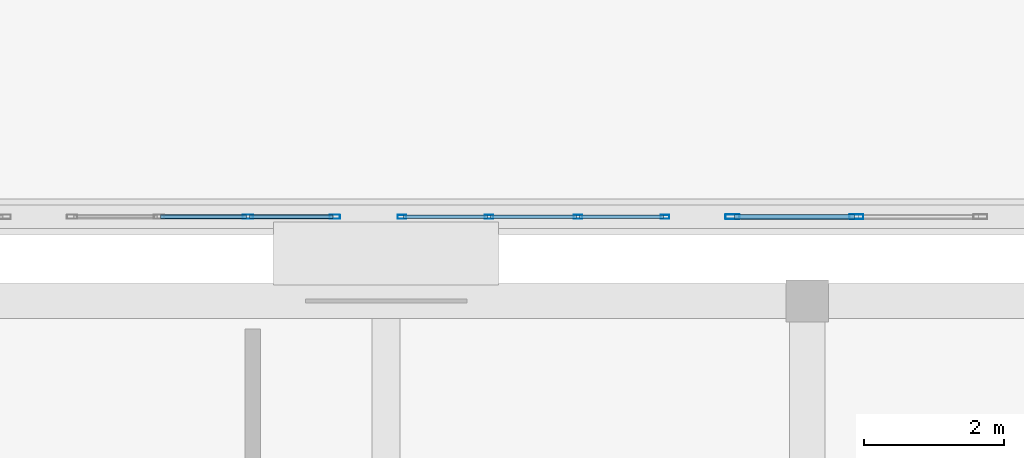
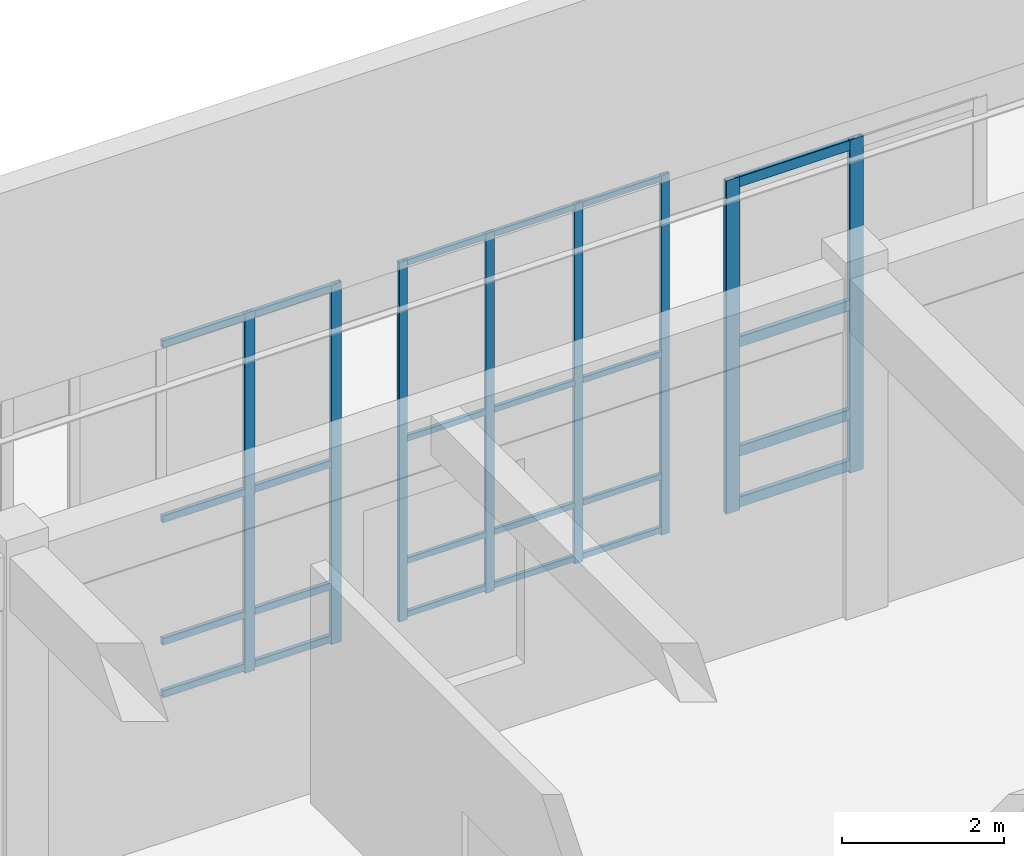
# One storey, part 112 of 197: 32 members, 3 elements without a shape of their own.
"""IFC4 building model written with IfcOpenShell, lengths in metres."""

from ifc_helpers import new_model, si_unit, derived_unit, direction, frame, origin, origin_2d, place, context, subcontext, project, spatial, hollow_rectangle, extrude, material, layer, layer_set, material_profile, profile_set, type_object, element, aggregate, save


model = new_model("IFC4")

# Units and contexts
model_context = context("Model", 3, precision=1e-05, world=origin(), true_north=direction((0.0, 1.0)))
body_context = subcontext(model_context, "Body", "Model", "MODEL_VIEW")
ifc_project = project(units=[si_unit("LENGTHUNIT", "METRE"), si_unit("AREAUNIT", "SQUARE_METRE"), si_unit("VOLUMEUNIT", "CUBIC_METRE"), si_unit("PLANEANGLEUNIT", "RADIAN"), si_unit("MASSUNIT", "GRAM", prefix="KILO"), derived_unit("THERMALTRANSMITTANCEUNIT", [(si_unit("POWERUNIT", "WATT"), 1), (si_unit("LENGTHUNIT", "METRE"), -2), (si_unit("THERMODYNAMICTEMPERATUREUNIT", "KELVIN"), -1)])], contexts=[model_context])

# Site, building, storey
site_placement = place(None, origin())
site = spatial("IfcSite", under=ifc_project, at=site_placement, CompositionType="ELEMENT")
building_placement = place(site_placement, origin())
building = spatial("IfcBuilding", under=site, at=building_placement, Name="Almenara Railside Exhibition Hall", CompositionType="ELEMENT")
storey_placement = place(building_placement, frame((0.0, 0.0, 5.39990234375)))
storey = spatial("IfcBuildingStorey", under=building, at=storey_placement, Name="L01", CompositionType="ELEMENT", Elevation=5.39990234375)

# Curtain wall, members
ifc_material_1 = material(Name="Bronze-anodised aluminium and low-E double glazing", Category="aluminium")
ifc_layer_1 = layer(ifc_material_1, 0.179931640625, Name="Bronze-anodised aluminium and low-E double glazing")
ifc_layer_set_1 = layer_set([ifc_layer_1], Name="Bronze-anodised aluminium and low-E double glazing")
curtain_wall_type_1 = type_object("IfcCurtainWallType", Name="Scroll Gable Tall Curtain Wall 3800x5400", PredefinedType="NOTDEFINED", material=ifc_layer_set_1)
curtain_wall_1_placement = place(storey_placement, origin())
curtain_wall_1 = element("IfcCurtainWall", 1, at=curtain_wall_1_placement, inside=storey, type_object=curtain_wall_type_1, Name="Curtain wall CW-G1-083", PredefinedType="NOTDEFINED")
ifc_material_2 = material(Name="Bronze-anodised aluminium", Category="aluminium")
ifc_material_profile_1 = material_profile(ifc_material_2, hollow_rectangle(XDim=0.054931640625, YDim=0.125, WallThickness=0.0029296875, InnerFilletRadius=0.0029296875, OuterFilletRadius=0.006103515625, at=origin_2d()), Name="ALU-MUL 55x125x3")
ifc_profile_set_1 = profile_set([ifc_material_profile_1], Name="Bronze-anodised aluminium")
member_type_1 = type_object("IfcMemberType", Name="Curtain Wall Mullion 55x125x3", PredefinedType="MULLION", material=ifc_profile_set_1)
member_1_placement = place(storey_placement, frame((168.2275390625, 34.0, 1.01513671875), z_axis=(0.0, 0.0, 1.0), x_axis=(0.0, 1.0, 0.0)))
member_1 = element("IfcMember", 2, at=member_1_placement, type_object=member_type_1, Name="CW-G1-083 mullion 1", PredefinedType="MULLION", context=body_context, shape_type="SweptSolid", body=[
    extrude(hollow_rectangle(XDim=0.054931640625, YDim=0.125, WallThickness=0.0029296875, InnerFilletRadius=0.0029296875, OuterFilletRadius=0.006103515625, at=origin_2d()), origin(), (0.0, 0.0, 1.0), 5.43505859375),
])
member_2_placement = place(storey_placement, frame((169.466552734375, 34.0, 1.01513671875), z_axis=(0.0, 0.0, 1.0), x_axis=(0.0, 1.0, 0.0)))
member_2 = element("IfcMember", 3, at=member_2_placement, type_object=member_type_1, Name="CW-G1-083 mullion 2", PredefinedType="MULLION", context=body_context, shape_type="SweptSolid", body=[
    extrude(hollow_rectangle(XDim=0.054931640625, YDim=0.125, WallThickness=0.0029296875, InnerFilletRadius=0.0029296875, OuterFilletRadius=0.006103515625, at=origin_2d()), origin(), (0.0, 0.0, 1.0), 5.43505859375),
])
member_3_placement = place(storey_placement, frame((170.7333984375, 34.0, 1.01513671875), z_axis=(0.0, 0.0, 1.0), x_axis=(0.0, 1.0, 0.0)))
member_3 = element("IfcMember", 4, at=member_3_placement, type_object=member_type_1, Name="CW-G1-083 mullion 3", PredefinedType="MULLION", context=body_context, shape_type="SweptSolid", body=[
    extrude(hollow_rectangle(XDim=0.054931640625, YDim=0.125, WallThickness=0.0029296875, InnerFilletRadius=0.0029296875, OuterFilletRadius=0.006103515625, at=origin_2d()), origin(), (0.0, 0.0, 1.0), 5.43505859375),
])
member_4_placement = place(storey_placement, frame((171.972412109375, 34.0, 1.01513671875), z_axis=(0.0, 0.0, 1.0), x_axis=(0.0, 1.0, 0.0)))
member_4 = element("IfcMember", 5, at=member_4_placement, type_object=member_type_1, Name="CW-G1-083 mullion 4", PredefinedType="MULLION", context=body_context, shape_type="SweptSolid", body=[
    extrude(hollow_rectangle(XDim=0.054931640625, YDim=0.125, WallThickness=0.0029296875, InnerFilletRadius=0.0029296875, OuterFilletRadius=0.006103515625, at=origin_2d()), origin(), (0.0, 0.0, 1.0), 5.43505859375),
])

curtain_wall_2_placement = place(storey_placement, origin())
curtain_wall_2 = element("IfcCurtainWall", 6, at=curtain_wall_2_placement, inside=storey, type_object=curtain_wall_type_1, Name="Curtain wall CW-G1-082", PredefinedType="NOTDEFINED")
ifc_material_profile_2 = material_profile(ifc_material_2, hollow_rectangle(XDim=0.06005859375, YDim=0.14990234375, WallThickness=0.00341796875, InnerFilletRadius=0.00341796875, OuterFilletRadius=0.007080078125, at=origin_2d()), Name="ALU-MUL 60x150x3.5")
ifc_profile_set_2 = profile_set([ifc_material_profile_2], Name="Bronze-anodised aluminium")
member_type_2 = type_object("IfcMemberType", Name="Curtain Wall Mullion 60x150x3.5", PredefinedType="MULLION", material=ifc_profile_set_2)
member_5_placement = place(storey_placement, frame((166.033447265625, 34.0, 1.01513671875), z_axis=(0.0, 0.0, 1.0), x_axis=(0.0, 1.0, 0.0)))
member_5 = element("IfcMember", 7, at=member_5_placement, type_object=member_type_2, Name="CW-G1-082 mullion 3", PredefinedType="MULLION", context=body_context, shape_type="SweptSolid", body=[
    extrude(hollow_rectangle(XDim=0.06005859375, YDim=0.14990234375, WallThickness=0.00341796875, InnerFilletRadius=0.00341796875, OuterFilletRadius=0.007080078125, at=origin_2d()), origin(), (0.0, 0.0, 1.0), 5.43505859375),
])
member_6_placement = place(storey_placement, frame((167.27001953125, 34.0, 1.01513671875), z_axis=(0.0, 0.0, 1.0), x_axis=(0.0, 1.0, 0.0)))
member_6 = element("IfcMember", 8, at=member_6_placement, type_object=member_type_2, Name="CW-G1-082 mullion 4", PredefinedType="MULLION", context=body_context, shape_type="SweptSolid", body=[
    extrude(hollow_rectangle(XDim=0.06005859375, YDim=0.14990234375, WallThickness=0.00341796875, InnerFilletRadius=0.00341796875, OuterFilletRadius=0.007080078125, at=origin_2d()), origin(), (0.0, 0.0, 1.0), 5.43505859375),
])

ifc_layer_2 = layer(ifc_material_1, 0.179931640625, Name="Bronze-anodised aluminium and low-E double glazing")
ifc_layer_set_2 = layer_set([ifc_layer_2], Name="Bronze-anodised aluminium and low-E double glazing")
curtain_wall_type_2 = type_object("IfcCurtainWallType", Name="Scroll Gable Standard Curtain Wall 3600x5000", PredefinedType="NOTDEFINED", material=ifc_layer_set_2)
curtain_wall_3_placement = place(storey_placement, origin())
curtain_wall_3 = element("IfcCurtainWall", 9, at=curtain_wall_3_placement, inside=storey, type_object=curtain_wall_type_2, Name="Curtain wall CW-G2-084", PredefinedType="NOTDEFINED")
ifc_material_profile_3 = material_profile(ifc_material_2, hollow_rectangle(XDim=0.070068359375, YDim=0.199951171875, WallThickness=0.00439453125, InnerFilletRadius=0.00439453125, OuterFilletRadius=0.009033203125, at=origin_2d()), Name="ALU-MUL 70x200x4.5")
ifc_profile_set_3 = profile_set([ifc_material_profile_3], Name="Bronze-anodised aluminium")
member_type_3 = type_object("IfcMemberType", Name="Curtain Wall Mullion 70x200x4.5", PredefinedType="MULLION", material=ifc_profile_set_3)
member_7_placement = place(storey_placement, frame((172.93505859375, 34.0, 1.01513671875), z_axis=(0.0, 0.0, 1.0), x_axis=(0.0, 1.0, 0.0)))
member_7 = element("IfcMember", 10, at=member_7_placement, type_object=member_type_3, Name="CW-G2-084 mullion 1", PredefinedType="MULLION", context=body_context, shape_type="SweptSolid", body=[
    extrude(hollow_rectangle(XDim=0.070068359375, YDim=0.199951171875, WallThickness=0.00439453125, InnerFilletRadius=0.00439453125, OuterFilletRadius=0.009033203125, at=origin_2d()), origin(), (0.0, 0.0, 1.0), 5.034912109375),
])
member_8_placement = place(storey_placement, frame((174.699951171875, 34.0, 1.01513671875), z_axis=(0.0, 0.0, 1.0), x_axis=(0.0, 1.0, 0.0)))
member_8 = element("IfcMember", 11, at=member_8_placement, type_object=member_type_3, Name="CW-G2-084 mullion 2", PredefinedType="MULLION", context=body_context, shape_type="SweptSolid", body=[
    extrude(hollow_rectangle(XDim=0.070068359375, YDim=0.199951171875, WallThickness=0.00439453125, InnerFilletRadius=0.00439453125, OuterFilletRadius=0.009033203125, at=origin_2d()), origin(), (0.0, 0.0, 1.0), 5.034912109375),
])

# Member
ifc_material_profile_4 = material_profile(ifc_material_2, hollow_rectangle(XDim=0.054931640625, YDim=0.090087890625, WallThickness=0.0029296875, InnerFilletRadius=0.0029296875, OuterFilletRadius=0.006103515625, at=origin_2d()), Name="ALU-TRN 55x90x3")
ifc_profile_set_4 = profile_set([ifc_material_profile_4], Name="Bronze-anodised aluminium")
member_type_4 = type_object("IfcMemberType", Name="Curtain Wall Transom 55x90x3", PredefinedType="USERDEFINED", material=ifc_profile_set_4)
member_9_placement = place(storey_placement, frame((168.2470703125, 34.0, 1.09521484375), z_axis=(1.0, 0.0, 0.0), x_axis=(0.0, 1.0, 0.0)))
member_9 = element("IfcMember", 12, at=member_9_placement, type_object=member_type_4, Name="CW-G1-083 transom 1.1", ObjectType="TRANSOM", PredefinedType="USERDEFINED", context=body_context, shape_type="SweptSolid", body=[
    extrude(hollow_rectangle(XDim=0.054931640625, YDim=0.090087890625, WallThickness=0.0029296875, InnerFilletRadius=0.0029296875, OuterFilletRadius=0.006103515625, at=origin_2d()), origin(), (0.0, 0.0, 1.0), 1.2001953125),
])

member_10_placement = place(storey_placement, frame((168.2470703125, 34.0, 1.900146484375), z_axis=(1.0, 0.0, 0.0), x_axis=(0.0, 1.0, 0.0)))
member_10 = element("IfcMember", 13, at=member_10_placement, type_object=member_type_4, Name="CW-G1-083 transom 1.2", ObjectType="TRANSOM", PredefinedType="USERDEFINED", context=body_context, shape_type="SweptSolid", body=[
    extrude(hollow_rectangle(XDim=0.054931640625, YDim=0.090087890625, WallThickness=0.0029296875, InnerFilletRadius=0.0029296875, OuterFilletRadius=0.006103515625, at=origin_2d()), origin(), (0.0, 0.0, 1.0), 1.2001953125),
])

member_11_placement = place(storey_placement, frame((168.2470703125, 34.0, 3.75), z_axis=(1.0, 0.0, 0.0), x_axis=(0.0, 1.0, 0.0)))
member_11 = element("IfcMember", 14, at=member_11_placement, type_object=member_type_4, Name="CW-G1-083 transom 1.3", ObjectType="TRANSOM", PredefinedType="USERDEFINED", context=body_context, shape_type="SweptSolid", body=[
    extrude(hollow_rectangle(XDim=0.054931640625, YDim=0.090087890625, WallThickness=0.0029296875, InnerFilletRadius=0.0029296875, OuterFilletRadius=0.006103515625, at=origin_2d()), origin(), (0.0, 0.0, 1.0), 1.2001953125),
])

member_12_placement = place(storey_placement, frame((168.2470703125, 34.0, 6.405029296875), z_axis=(1.0, 0.0, 0.0), x_axis=(0.0, 1.0, 0.0)))
member_12 = element("IfcMember", 15, at=member_12_placement, type_object=member_type_4, Name="CW-G1-083 transom 1.4", ObjectType="TRANSOM", PredefinedType="USERDEFINED", context=body_context, shape_type="SweptSolid", body=[
    extrude(hollow_rectangle(XDim=0.054931640625, YDim=0.090087890625, WallThickness=0.0029296875, InnerFilletRadius=0.0029296875, OuterFilletRadius=0.006103515625, at=origin_2d()), origin(), (0.0, 0.0, 1.0), 1.2001953125),
])

member_13_placement = place(storey_placement, frame((169.486083984375, 34.0, 1.09521484375), z_axis=(1.0, 0.0, 0.0), x_axis=(0.0, 1.0, 0.0)))
member_13 = element("IfcMember", 16, at=member_13_placement, type_object=member_type_4, Name="CW-G1-083 transom 2.1", ObjectType="TRANSOM", PredefinedType="USERDEFINED", context=body_context, shape_type="SweptSolid", body=[
    extrude(hollow_rectangle(XDim=0.054931640625, YDim=0.090087890625, WallThickness=0.0029296875, InnerFilletRadius=0.0029296875, OuterFilletRadius=0.006103515625, at=origin_2d()), origin(), (0.0, 0.0, 1.0), 1.227783203125),
])

member_14_placement = place(storey_placement, frame((169.486083984375, 34.0, 1.900146484375), z_axis=(1.0, 0.0, 0.0), x_axis=(0.0, 1.0, 0.0)))
member_14 = element("IfcMember", 17, at=member_14_placement, type_object=member_type_4, Name="CW-G1-083 transom 2.2", ObjectType="TRANSOM", PredefinedType="USERDEFINED", context=body_context, shape_type="SweptSolid", body=[
    extrude(hollow_rectangle(XDim=0.054931640625, YDim=0.090087890625, WallThickness=0.0029296875, InnerFilletRadius=0.0029296875, OuterFilletRadius=0.006103515625, at=origin_2d()), origin(), (0.0, 0.0, 1.0), 1.227783203125),
])

member_15_placement = place(storey_placement, frame((169.486083984375, 34.0, 3.75), z_axis=(1.0, 0.0, 0.0), x_axis=(0.0, 1.0, 0.0)))
member_15 = element("IfcMember", 18, at=member_15_placement, type_object=member_type_4, Name="CW-G1-083 transom 2.3", ObjectType="TRANSOM", PredefinedType="USERDEFINED", context=body_context, shape_type="SweptSolid", body=[
    extrude(hollow_rectangle(XDim=0.054931640625, YDim=0.090087890625, WallThickness=0.0029296875, InnerFilletRadius=0.0029296875, OuterFilletRadius=0.006103515625, at=origin_2d()), origin(), (0.0, 0.0, 1.0), 1.227783203125),
])

member_16_placement = place(storey_placement, frame((169.486083984375, 34.0, 6.405029296875), z_axis=(1.0, 0.0, 0.0), x_axis=(0.0, 1.0, 0.0)))
member_16 = element("IfcMember", 19, at=member_16_placement, type_object=member_type_4, Name="CW-G1-083 transom 2.4", ObjectType="TRANSOM", PredefinedType="USERDEFINED", context=body_context, shape_type="SweptSolid", body=[
    extrude(hollow_rectangle(XDim=0.054931640625, YDim=0.090087890625, WallThickness=0.0029296875, InnerFilletRadius=0.0029296875, OuterFilletRadius=0.006103515625, at=origin_2d()), origin(), (0.0, 0.0, 1.0), 1.227783203125),
])

member_17_placement = place(storey_placement, frame((170.7529296875, 34.0, 1.09521484375), z_axis=(1.0, 0.0, 0.0), x_axis=(0.0, 1.0, 0.0)))
member_17 = element("IfcMember", 20, at=member_17_placement, type_object=member_type_4, Name="CW-G1-083 transom 3.1", ObjectType="TRANSOM", PredefinedType="USERDEFINED", context=body_context, shape_type="SweptSolid", body=[
    extrude(hollow_rectangle(XDim=0.054931640625, YDim=0.090087890625, WallThickness=0.0029296875, InnerFilletRadius=0.0029296875, OuterFilletRadius=0.006103515625, at=origin_2d()), origin(), (0.0, 0.0, 1.0), 1.199951171875),
])

member_18_placement = place(storey_placement, frame((170.7529296875, 34.0, 1.900146484375), z_axis=(1.0, 0.0, 0.0), x_axis=(0.0, 1.0, 0.0)))
member_18 = element("IfcMember", 21, at=member_18_placement, type_object=member_type_4, Name="CW-G1-083 transom 3.2", ObjectType="TRANSOM", PredefinedType="USERDEFINED", context=body_context, shape_type="SweptSolid", body=[
    extrude(hollow_rectangle(XDim=0.054931640625, YDim=0.090087890625, WallThickness=0.0029296875, InnerFilletRadius=0.0029296875, OuterFilletRadius=0.006103515625, at=origin_2d()), origin(), (0.0, 0.0, 1.0), 1.199951171875),
])

member_19_placement = place(storey_placement, frame((170.7529296875, 34.0, 3.75), z_axis=(1.0, 0.0, 0.0), x_axis=(0.0, 1.0, 0.0)))
member_19 = element("IfcMember", 22, at=member_19_placement, type_object=member_type_4, Name="CW-G1-083 transom 3.3", ObjectType="TRANSOM", PredefinedType="USERDEFINED", context=body_context, shape_type="SweptSolid", body=[
    extrude(hollow_rectangle(XDim=0.054931640625, YDim=0.090087890625, WallThickness=0.0029296875, InnerFilletRadius=0.0029296875, OuterFilletRadius=0.006103515625, at=origin_2d()), origin(), (0.0, 0.0, 1.0), 1.199951171875),
])

member_20_placement = place(storey_placement, frame((170.7529296875, 34.0, 6.405029296875), z_axis=(1.0, 0.0, 0.0), x_axis=(0.0, 1.0, 0.0)))
member_20 = element("IfcMember", 23, at=member_20_placement, type_object=member_type_4, Name="CW-G1-083 transom 3.4", ObjectType="TRANSOM", PredefinedType="USERDEFINED", context=body_context, shape_type="SweptSolid", body=[
    extrude(hollow_rectangle(XDim=0.054931640625, YDim=0.090087890625, WallThickness=0.0029296875, InnerFilletRadius=0.0029296875, OuterFilletRadius=0.006103515625, at=origin_2d()), origin(), (0.0, 0.0, 1.0), 1.199951171875),
])

aggregate(curtain_wall_1, [member_1, member_2, member_3, member_4, member_9, member_10, member_11, member_12, member_13, member_14, member_15, member_16, member_17, member_18, member_19, member_20])

ifc_material_profile_5 = material_profile(ifc_material_2, hollow_rectangle(XDim=0.06005859375, YDim=0.110107421875, WallThickness=0.0029296875, InnerFilletRadius=0.0029296875, OuterFilletRadius=0.006103515625, at=origin_2d()), Name="ALU-TRN 60x110x3")
ifc_profile_set_5 = profile_set([ifc_material_profile_5], Name="Bronze-anodised aluminium")
member_type_5 = type_object("IfcMemberType", Name="Curtain Wall Transom 60x110x3", PredefinedType="USERDEFINED", material=ifc_profile_set_5)
member_21_placement = place(storey_placement, frame((164.78857421875, 34.0, 1.10498046875), z_axis=(1.0, 0.0, 0.0), x_axis=(0.0, 1.0, 0.0)))
member_21 = element("IfcMember", 24, at=member_21_placement, type_object=member_type_5, Name="CW-G1-082 transom 2.1", ObjectType="TRANSOM", PredefinedType="USERDEFINED", context=body_context, shape_type="SweptSolid", body=[
    extrude(hollow_rectangle(XDim=0.06005859375, YDim=0.110107421875, WallThickness=0.0029296875, InnerFilletRadius=0.0029296875, OuterFilletRadius=0.006103515625, at=origin_2d()), origin(), (0.0, 0.0, 1.0), 1.22265625),
])

member_22_placement = place(storey_placement, frame((164.78857421875, 34.0, 1.900146484375), z_axis=(1.0, 0.0, 0.0), x_axis=(0.0, 1.0, 0.0)))
member_22 = element("IfcMember", 25, at=member_22_placement, type_object=member_type_5, Name="CW-G1-082 transom 2.2", ObjectType="TRANSOM", PredefinedType="USERDEFINED", context=body_context, shape_type="SweptSolid", body=[
    extrude(hollow_rectangle(XDim=0.06005859375, YDim=0.110107421875, WallThickness=0.0029296875, InnerFilletRadius=0.0029296875, OuterFilletRadius=0.006103515625, at=origin_2d()), origin(), (0.0, 0.0, 1.0), 1.22265625),
])

member_23_placement = place(storey_placement, frame((164.78857421875, 34.0, 3.75), z_axis=(1.0, 0.0, 0.0), x_axis=(0.0, 1.0, 0.0)))
member_23 = element("IfcMember", 26, at=member_23_placement, type_object=member_type_5, Name="CW-G1-082 transom 2.3", ObjectType="TRANSOM", PredefinedType="USERDEFINED", context=body_context, shape_type="SweptSolid", body=[
    extrude(hollow_rectangle(XDim=0.06005859375, YDim=0.110107421875, WallThickness=0.0029296875, InnerFilletRadius=0.0029296875, OuterFilletRadius=0.006103515625, at=origin_2d()), origin(), (0.0, 0.0, 1.0), 1.22265625),
])

member_24_placement = place(storey_placement, frame((164.78857421875, 34.0, 6.39501953125), z_axis=(1.0, 0.0, 0.0), x_axis=(0.0, 1.0, 0.0)))
member_24 = element("IfcMember", 27, at=member_24_placement, type_object=member_type_5, Name="CW-G1-082 transom 2.4", ObjectType="TRANSOM", PredefinedType="USERDEFINED", context=body_context, shape_type="SweptSolid", body=[
    extrude(hollow_rectangle(XDim=0.06005859375, YDim=0.110107421875, WallThickness=0.0029296875, InnerFilletRadius=0.0029296875, OuterFilletRadius=0.006103515625, at=origin_2d()), origin(), (0.0, 0.0, 1.0), 1.22265625),
])

member_25_placement = place(storey_placement, frame((166.055419921875, 34.0, 1.10498046875), z_axis=(1.0, 0.0, 0.0), x_axis=(0.0, 1.0, 0.0)))
member_25 = element("IfcMember", 28, at=member_25_placement, type_object=member_type_5, Name="CW-G1-082 transom 3.1", ObjectType="TRANSOM", PredefinedType="USERDEFINED", context=body_context, shape_type="SweptSolid", body=[
    extrude(hollow_rectangle(XDim=0.06005859375, YDim=0.110107421875, WallThickness=0.0029296875, InnerFilletRadius=0.0029296875, OuterFilletRadius=0.006103515625, at=origin_2d()), origin(), (0.0, 0.0, 1.0), 1.192626953125),
])

member_26_placement = place(storey_placement, frame((166.055419921875, 34.0, 1.900146484375), z_axis=(1.0, 0.0, 0.0), x_axis=(0.0, 1.0, 0.0)))
member_26 = element("IfcMember", 29, at=member_26_placement, type_object=member_type_5, Name="CW-G1-082 transom 3.2", ObjectType="TRANSOM", PredefinedType="USERDEFINED", context=body_context, shape_type="SweptSolid", body=[
    extrude(hollow_rectangle(XDim=0.06005859375, YDim=0.110107421875, WallThickness=0.0029296875, InnerFilletRadius=0.0029296875, OuterFilletRadius=0.006103515625, at=origin_2d()), origin(), (0.0, 0.0, 1.0), 1.192626953125),
])

member_27_placement = place(storey_placement, frame((166.055419921875, 34.0, 3.75), z_axis=(1.0, 0.0, 0.0), x_axis=(0.0, 1.0, 0.0)))
member_27 = element("IfcMember", 30, at=member_27_placement, type_object=member_type_5, Name="CW-G1-082 transom 3.3", ObjectType="TRANSOM", PredefinedType="USERDEFINED", context=body_context, shape_type="SweptSolid", body=[
    extrude(hollow_rectangle(XDim=0.06005859375, YDim=0.110107421875, WallThickness=0.0029296875, InnerFilletRadius=0.0029296875, OuterFilletRadius=0.006103515625, at=origin_2d()), origin(), (0.0, 0.0, 1.0), 1.192626953125),
])

member_28_placement = place(storey_placement, frame((166.055419921875, 34.0, 6.39501953125), z_axis=(1.0, 0.0, 0.0), x_axis=(0.0, 1.0, 0.0)))
member_28 = element("IfcMember", 31, at=member_28_placement, type_object=member_type_5, Name="CW-G1-082 transom 3.4", ObjectType="TRANSOM", PredefinedType="USERDEFINED", context=body_context, shape_type="SweptSolid", body=[
    extrude(hollow_rectangle(XDim=0.06005859375, YDim=0.110107421875, WallThickness=0.0029296875, InnerFilletRadius=0.0029296875, OuterFilletRadius=0.006103515625, at=origin_2d()), origin(), (0.0, 0.0, 1.0), 1.192626953125),
])

aggregate(curtain_wall_2, [member_5, member_6, member_21, member_22, member_23, member_24, member_25, member_26, member_27, member_28])

ifc_material_profile_6 = material_profile(ifc_material_2, hollow_rectangle(XDim=0.070068359375, YDim=0.159912109375, WallThickness=0.00390625, InnerFilletRadius=0.00390625, OuterFilletRadius=0.008056640625, at=origin_2d()), Name="ALU-TRN 70x160x4")
ifc_profile_set_6 = profile_set([ifc_material_profile_6], Name="Bronze-anodised aluminium")
member_type_6 = type_object("IfcMemberType", Name="Curtain Wall Transom 70x160x4", PredefinedType="USERDEFINED", material=ifc_profile_set_6)
member_29_placement = place(storey_placement, frame((172.9619140625, 34.0, 1.130126953125), z_axis=(1.0, 0.0, 0.0), x_axis=(0.0, 1.0, 0.0)))
member_29 = element("IfcMember", 32, at=member_29_placement, type_object=member_type_6, Name="CW-G2-084 transom 1.1", ObjectType="TRANSOM", PredefinedType="USERDEFINED", context=body_context, shape_type="SweptSolid", body=[
    extrude(hollow_rectangle(XDim=0.070068359375, YDim=0.159912109375, WallThickness=0.00390625, InnerFilletRadius=0.00390625, OuterFilletRadius=0.008056640625, at=origin_2d()), origin(), (0.0, 0.0, 1.0), 1.711181640625),
])

member_30_placement = place(storey_placement, frame((172.9619140625, 34.0, 1.900146484375), z_axis=(1.0, 0.0, 0.0), x_axis=(0.0, 1.0, 0.0)))
member_30 = element("IfcMember", 33, at=member_30_placement, type_object=member_type_6, Name="CW-G2-084 transom 1.2", ObjectType="TRANSOM", PredefinedType="USERDEFINED", context=body_context, shape_type="SweptSolid", body=[
    extrude(hollow_rectangle(XDim=0.070068359375, YDim=0.159912109375, WallThickness=0.00390625, InnerFilletRadius=0.00390625, OuterFilletRadius=0.008056640625, at=origin_2d()), origin(), (0.0, 0.0, 1.0), 1.711181640625),
])

member_31_placement = place(storey_placement, frame((172.9619140625, 34.0, 3.550048828125), z_axis=(1.0, 0.0, 0.0), x_axis=(0.0, 1.0, 0.0)))
member_31 = element("IfcMember", 34, at=member_31_placement, type_object=member_type_6, Name="CW-G2-084 transom 1.3", ObjectType="TRANSOM", PredefinedType="USERDEFINED", context=body_context, shape_type="SweptSolid", body=[
    extrude(hollow_rectangle(XDim=0.070068359375, YDim=0.159912109375, WallThickness=0.00390625, InnerFilletRadius=0.00390625, OuterFilletRadius=0.008056640625, at=origin_2d()), origin(), (0.0, 0.0, 1.0), 1.711181640625),
])

member_32_placement = place(storey_placement, frame((172.9619140625, 34.0, 5.97021484375), z_axis=(1.0, 0.0, 0.0), x_axis=(0.0, 1.0, 0.0)))
member_32 = element("IfcMember", 35, at=member_32_placement, type_object=member_type_6, Name="CW-G2-084 transom 1.4", ObjectType="TRANSOM", PredefinedType="USERDEFINED", context=body_context, shape_type="SweptSolid", body=[
    extrude(hollow_rectangle(XDim=0.070068359375, YDim=0.159912109375, WallThickness=0.00390625, InnerFilletRadius=0.00390625, OuterFilletRadius=0.008056640625, at=origin_2d()), origin(), (0.0, 0.0, 1.0), 1.711181640625),
])

aggregate(curtain_wall_3, [member_7, member_8, member_29, member_30, member_31, member_32])

save(model, "model.ifc")
